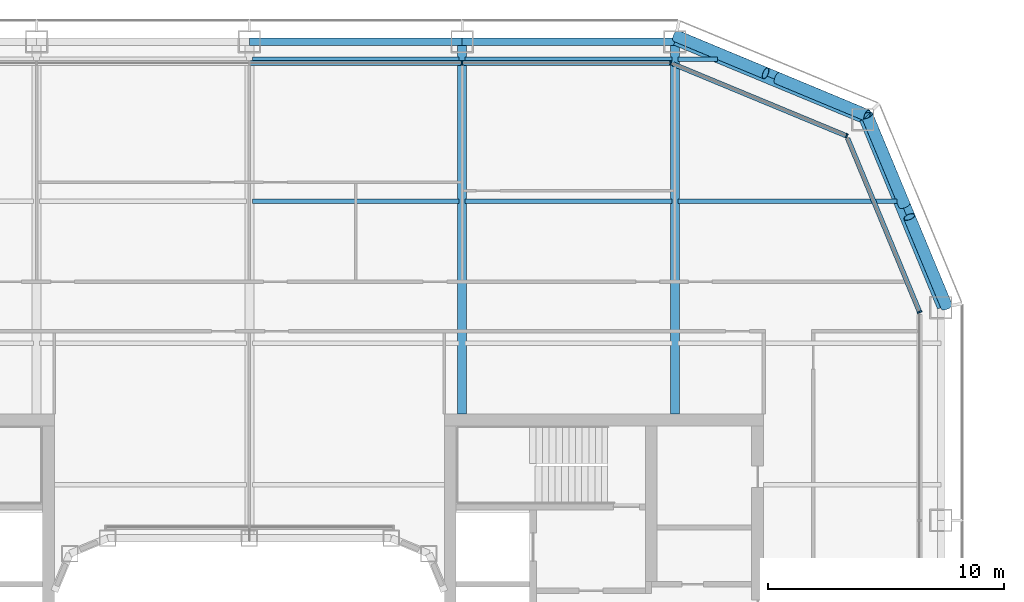
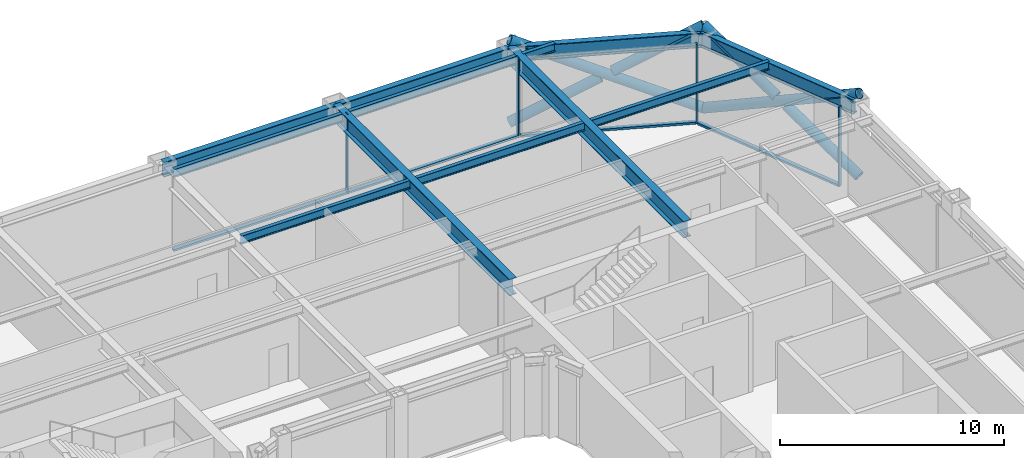
# One storey, part 9 of 23: 14 members, 12 beams, 3 elements without a shape of their own.
"""IFC4 building model written with IfcOpenShell, lengths in metres."""

from ifc_helpers import new_model, si_unit, direction, frame, origin, origin_2d, place, context, subcontext, project, spatial, rectangle, hollow_circle, i_section, extrude, material, layer, layer_set, material_profile, profile_set, type_object, element, aggregate, save


model = new_model("IFC4")

# Units and contexts
model_context = context("Model", 3, precision=1e-05, world=origin(), true_north=direction((0.0, 1.0)))
body_context = subcontext(model_context, "Body", "Model", "MODEL_VIEW")
ifc_project = project(units=[si_unit("LENGTHUNIT", "METRE"), si_unit("AREAUNIT", "SQUARE_METRE"), si_unit("VOLUMEUNIT", "CUBIC_METRE"), si_unit("PLANEANGLEUNIT", "RADIAN"), si_unit("MASSUNIT", "GRAM", prefix="KILO")], contexts=[model_context])

# Site, building, storey
site_placement = place(None, origin())
site = spatial("IfcSite", under=ifc_project, at=site_placement, CompositionType="ELEMENT")
building_placement = place(site_placement, origin())
building = spatial("IfcBuilding", under=site, at=building_placement, Name="Siwar Civic Tower", CompositionType="ELEMENT")
storey_placement = place(building_placement, frame((0.0, 0.0, 109.199951171875)))
storey = spatial("IfcBuildingStorey", under=building, at=storey_placement, Name="L23", CompositionType="ELEMENT", Elevation=109.199951171875)

# Curtain wall, member
ifc_material_1 = material(Name="Aluminium clad insulated panel", Category="aluminium")
ifc_layer_1 = layer(ifc_material_1, 0.199951171875)
ifc_layer_set_1 = layer_set([ifc_layer_1], Name="Aluminium clad insulated panel")
curtain_wall_type_1 = type_object("IfcCurtainWallType", Name="ENV-CW-BX", PredefinedType="NOTDEFINED", material=ifc_layer_set_1)
curtain_wall_1_placement = place(storey_placement, origin())
curtain_wall_1 = element("IfcCurtainWall", 1, at=curtain_wall_1_placement, inside=storey, type_object=curtain_wall_type_1, Name="Curtain wall B NE1", PredefinedType="NOTDEFINED")
ifc_material_2 = material(Name="Aluminium 6063-T6", Category="aluminium")
ifc_material_profile_1 = material_profile(ifc_material_2, rectangle(XDim=0.199951171875, YDim=0.06494140625, at=origin_2d()), Name="AL 200x65")
ifc_profile_set_1 = profile_set([ifc_material_profile_1], Name="Aluminium 6063-T6")
member_type_1 = type_object("IfcMemberType", Name="ENV-MULLION-B", PredefinedType="MULLION", material=ifc_profile_set_1)
member_1_placement = place(storey_placement, frame((28.35009765625, 17.821044921875, 0.0), z_axis=(0.0, 0.0, 1.0), x_axis=(-0.923879532511, -0.382683432365, 0.0)))
member_1 = element("IfcMember", 2, at=member_1_placement, type_object=member_type_1, Name="Mullion B NE1 1", PredefinedType="MULLION", context=body_context, shape_type="SweptSolid", body=[
    extrude(rectangle(XDim=0.199951171875, YDim=0.06494140625, at=origin_2d()), origin(), (0.0, 0.0, 1.0), 4.35009765625),
])

curtain_wall_2_placement = place(storey_placement, origin())
curtain_wall_2 = element("IfcCurtainWall", 3, at=curtain_wall_2_placement, inside=storey, type_object=curtain_wall_type_1, Name="Curtain wall B NE2", PredefinedType="NOTDEFINED")
member_2_placement = place(storey_placement, frame((25.26611328125, 25.26611328125, 0.0), z_axis=(0.0, 0.0, 1.0), x_axis=(-0.382683432365, -0.923879532511, 0.0)))
member_2 = element("IfcMember", 4, at=member_2_placement, type_object=member_type_1, Name="Mullion B NE2 1", PredefinedType="MULLION", context=body_context, shape_type="SweptSolid", body=[
    extrude(rectangle(XDim=0.199951171875, YDim=0.06494140625, at=origin_2d()), origin(), (0.0, 0.0, 1.0), 4.35009765625),
])

# Curtain wall, members
ifc_material_3 = material(Name="Aluminium and glass", Category="aluminium")
ifc_layer_2 = layer(ifc_material_3, 0.199951171875)
ifc_layer_set_2 = layer_set([ifc_layer_2], Name="Aluminium and glass")
curtain_wall_type_2 = type_object("IfcCurtainWallType", Name="ENV-CW-B", PredefinedType="NOTDEFINED", material=ifc_layer_set_2)
curtain_wall_3_placement = place(storey_placement, origin())
curtain_wall_3 = element("IfcCurtainWall", 5, at=curtain_wall_3_placement, inside=storey, type_object=curtain_wall_type_2, Name="Curtain wall B N", PredefinedType="NOTDEFINED")
member_3_placement = place(storey_placement, frame((17.821044921875, 28.35009765625, 0.0), z_axis=(0.0, 0.0, 1.0), x_axis=(0.0, -1.0, 0.0)))
member_3 = element("IfcMember", 6, at=member_3_placement, type_object=member_type_1, Name="Mullion B N 1", PredefinedType="MULLION", context=body_context, shape_type="SweptSolid", body=[
    extrude(rectangle(XDim=0.199951171875, YDim=0.06494140625, at=origin_2d()), origin(), (0.0, 0.0, 1.0), 4.35009765625),
])
member_4_placement = place(storey_placement, frame((9.0, 28.35009765625, 0.0), z_axis=(0.0, 0.0, 1.0), x_axis=(0.0, -1.0, 0.0)))
member_4 = element("IfcMember", 7, at=member_4_placement, type_object=member_type_1, Name="Mullion B N 2", PredefinedType="MULLION", context=body_context, shape_type="SweptSolid", body=[
    extrude(rectangle(XDim=0.199951171875, YDim=0.06494140625, at=origin_2d()), origin(), (0.0, 0.0, 1.0), 4.35009765625),
])

# Member
ifc_material_4 = material(Name="Aluminium 6063-T6", Category="aluminium")
ifc_material_profile_2 = material_profile(ifc_material_4, rectangle(XDim=0.199951171875, YDim=0.110107421875, at=origin_2d()), Name="AL 200x110")
ifc_profile_set_2 = profile_set([ifc_material_profile_2], Name="Aluminium 6063-T6")
member_type_2 = type_object("IfcMemberType", Name="ENV-TRANSOM-B", PredefinedType="USERDEFINED", material=ifc_profile_set_2)
member_5_placement = place(storey_placement, frame((28.337646484375, 17.85107421875, 0.054931640625), z_axis=(-0.382699695651, 0.92387279587, 0.0), x_axis=(-0.92387279587, -0.382699695651, 0.0)))
member_5 = element("IfcMember", 8, at=member_5_placement, type_object=member_type_2, Name="Transom B NE1 1", ObjectType="TRANSOM", PredefinedType="USERDEFINED", context=body_context, shape_type="SweptSolid", body=[
    extrude(rectangle(XDim=0.199951171875, YDim=0.110107421875, at=origin_2d()), origin(), (0.0, 0.0, 1.0), 7.912353515625),
])

aggregate(curtain_wall_1, [member_1, member_5])

member_6_placement = place(storey_placement, frame((25.236083984375, 25.278564453125, 0.054931640625), z_axis=(-0.923883705044, 0.382673358825, 0.0), x_axis=(-0.382673358825, -0.923883705044, 0.0)))
member_6 = element("IfcMember", 9, at=member_6_placement, type_object=member_type_2, Name="Transom B NE2 1", ObjectType="TRANSOM", PredefinedType="USERDEFINED", context=body_context, shape_type="SweptSolid", body=[
    extrude(rectangle(XDim=0.199951171875, YDim=0.110107421875, at=origin_2d()), origin(), (0.0, 0.0, 1.0), 7.912353515625),
])

aggregate(curtain_wall_2, [member_2, member_6])

member_7_placement = place(storey_placement, frame((17.78857421875, 28.35009765625, 0.054931640625), z_axis=(-1.0, 0.0, 0.0), x_axis=(0.0, -1.0, 0.0)))
member_7 = element("IfcMember", 10, at=member_7_placement, type_object=member_type_2, Name="Transom B N 1", ObjectType="TRANSOM", PredefinedType="USERDEFINED", context=body_context, shape_type="SweptSolid", body=[
    extrude(rectangle(XDim=0.199951171875, YDim=0.110107421875, at=origin_2d()), origin(), (0.0, 0.0, 1.0), 8.756103515625),
])

member_8_placement = place(storey_placement, frame((8.967529296875, 28.35009765625, 0.054931640625), z_axis=(-1.0, 0.0, 0.0), x_axis=(0.0, -1.0, 0.0)))
member_8 = element("IfcMember", 11, at=member_8_placement, type_object=member_type_2, Name="Transom B N 2", ObjectType="TRANSOM", PredefinedType="USERDEFINED", context=body_context, shape_type="SweptSolid", body=[
    extrude(rectangle(XDim=0.199951171875, YDim=0.110107421875, at=origin_2d()), origin(), (0.0, 0.0, 1.0), 8.93505859375),
])

aggregate(curtain_wall_3, [member_3, member_4, member_7, member_8])

# Members
ifc_material_5 = material(Name="Steel S355", Category="steel")
ifc_material_profile_3 = material_profile(ifc_material_5, hollow_circle(Radius=0.25390625, WallThickness=0.02490234375, at=origin_2d()), Name="CHS508x25")
ifc_profile_set_3 = profile_set([ifc_material_profile_3], Name="Steel S355")
member_type_3 = type_object("IfcMemberType", Name="STR-BR-CHS508x25", PredefinedType="BRACE", material=ifc_profile_set_3)
member_9_placement = place(storey_placement, frame((26.1318359375, 26.1318359375, 0.0), z_axis=(-0.821142553604, 0.341671493852, 0.457149315816), x_axis=(-0.384163874976, -0.923264922524, 0.0)))
element("IfcMember", 12, at=member_9_placement, inside=storey, type_object=member_type_3, Name="L23/brc/BNE1-2-0-1", PredefinedType="BRACE", context=body_context, shape_type="SweptSolid", body=[
    extrude(hollow_circle(Radius=0.25390625, WallThickness=0.02490234375, at=origin_2d()), origin(), (0.0, 0.0, 1.0), 9.843505859375),
])
for number, where, z_axis, x_axis, name in (
    (13, (18.048828125, 29.4951171875, 0.0), (0.821126041429, -0.341677318012, 0.457174621391), (0.384176042158, 0.923259859753, 0.0), "L23/brc/BNE1-2-0-2"),
    (14, (22.342529296875, 27.70849609375, 2.390625), (0.821163134736, -0.341670737976, 0.457112910516), (0.384154943021, 0.923268638995, 0.0), "L23/brc/BNE1-2-0-3"),
):
    element("IfcMember", number, at=place(storey_placement, frame(where, z_axis=z_axis, x_axis=x_axis)), inside=storey, type_object=member_type_3, Name=name, PredefinedType="BRACE", context=body_context, shape_type="SweptSolid", body=[
        extrude(hollow_circle(Radius=0.25390625, WallThickness=0.02490234375, at=origin_2d()), origin(), (0.0, 0.0, 1.0), 4.614501953125),
    ])
member_10_placement = place(storey_placement, frame((26.1318359375, 26.1318359375, 0.0), z_axis=(0.341671493852, -0.821142553604, 0.457149315816), x_axis=(0.923264922524, 0.384163874976, 0.0)))
element("IfcMember", 15, at=member_10_placement, inside=storey, type_object=member_type_3, Name="L23/brc/BNE1-2-0-0", PredefinedType="BRACE", context=body_context, shape_type="SweptSolid", body=[
    extrude(hollow_circle(Radius=0.25390625, WallThickness=0.02490234375, at=origin_2d()), origin(), (0.0, 0.0, 1.0), 9.843505859375),
])
for number, where, z_axis, x_axis, name in (
    (16, (29.4951171875, 18.048828125, 0.0), (-0.341677318012, 0.821126041429, 0.457174621391), (-0.923259859753, -0.384176042158, 0.0), "L23/brc/BNE1-2-0-4"),
    (17, (27.70849609375, 22.342529296875, 2.390625), (-0.341670737976, 0.821163134736, 0.457112910516), (-0.923268638995, -0.384154943021, 0.0), "L23/brc/BNE1-2-0-5"),
):
    element("IfcMember", number, at=place(storey_placement, frame(where, z_axis=z_axis, x_axis=x_axis)), inside=storey, type_object=member_type_3, Name=name, PredefinedType="BRACE", context=body_context, shape_type="SweptSolid", body=[
        extrude(hollow_circle(Radius=0.25390625, WallThickness=0.02490234375, at=origin_2d()), origin(), (0.0, 0.0, 1.0), 4.614501953125),
    ])

# Beams
ifc_material_6 = material(Name="Steel S355", Category="steel")
ifc_material_profile_4 = material_profile(ifc_material_6, i_section(OverallWidth=0.18994140625, OverallDepth=0.449951171875, WebThickness=0.009521484375, FlangeThickness=0.0146484375, FilletRadius=0.02099609375, at=origin_2d()), Name="IPE450")
ifc_profile_set_4 = profile_set([ifc_material_profile_4], Name="Steel S355")
beam_type_1 = type_object("IfcBeamType", Name="STR-FB-IPE450", PredefinedType="JOIST", material=ifc_profile_set_4)
for number, where, z_axis, x_axis, name in (
    (18, (0.1298828125, 22.5, 4.125), (1.0, 0.0, 0.0), (0.0, 1.0, 0.0), "L23/bm/F040"),
    (19, (9.1298828125, 22.5, 4.125), (1.0, 0.0, 0.0), (0.0, 1.0, 0.0), "L23/bm/F041"),
):
    element("IfcBeam", number, at=place(storey_placement, frame(where, z_axis=z_axis, x_axis=x_axis)), inside=storey, type_object=beam_type_1, Name=name, PredefinedType="JOIST", context=body_context, shape_type="SweptSolid", body=[
        extrude(i_section(OverallWidth=0.18994140625, OverallDepth=0.449951171875, WebThickness=0.009521484375, FlangeThickness=0.0146484375, FilletRadius=0.02099609375, at=origin_2d()), origin(), (0.0, 0.0, 1.0), 8.740234375),
    ])
beam_1_placement = place(storey_placement, frame((18.1298828125, 22.5, 4.125), z_axis=(1.0, 0.0, 0.0), x_axis=(0.0, 1.0, 0.0)))
element("IfcBeam", 20, at=beam_1_placement, inside=storey, type_object=beam_type_1, Name="L23/bm/F042", PredefinedType="JOIST", context=body_context, shape_type="SweptSolid", body=[
    extrude(i_section(OverallWidth=0.18994140625, OverallDepth=0.449951171875, WebThickness=0.009521484375, FlangeThickness=0.0146484375, FilletRadius=0.02099609375, at=origin_2d()), origin(), (0.0, 0.0, 1.0), 9.256103515625),
])
for number, where, z_axis, x_axis, name in (
    (21, (0.1298828125, 28.5, 4.125), (1.0, 0.0, 0.0), (0.0, 1.0, 0.0), "L23/bm/F046"),
    (22, (9.1298828125, 28.5, 4.125), (1.0, 0.0, 0.0), (0.0, 1.0, 0.0), "L23/bm/F047"),
):
    element("IfcBeam", number, at=place(storey_placement, frame(where, z_axis=z_axis, x_axis=x_axis)), inside=storey, type_object=beam_type_1, Name=name, PredefinedType="JOIST", context=body_context, shape_type="SweptSolid", body=[
        extrude(i_section(OverallWidth=0.18994140625, OverallDepth=0.449951171875, WebThickness=0.009521484375, FlangeThickness=0.0146484375, FilletRadius=0.02099609375, at=origin_2d()), origin(), (0.0, 0.0, 1.0), 8.740234375),
    ])
beam_2_placement = place(storey_placement, frame((18.1298828125, 28.5, 4.125), z_axis=(1.0, 0.0, 0.0), x_axis=(0.0, 1.0, 0.0)))
element("IfcBeam", 23, at=beam_2_placement, inside=storey, type_object=beam_type_1, Name="L23/bm/F048", PredefinedType="JOIST", context=body_context, shape_type="SweptSolid", body=[
    extrude(i_section(OverallWidth=0.18994140625, OverallDepth=0.449951171875, WebThickness=0.009521484375, FlangeThickness=0.0146484375, FilletRadius=0.02099609375, at=origin_2d()), origin(), (0.0, 0.0, 1.0), 1.6806640625),
])
ifc_material_7 = material(Name="Steel S355", Category="steel")
ifc_material_profile_5 = material_profile(ifc_material_7, i_section(OverallWidth=0.3798828125, OverallDepth=0.89990234375, WebThickness=0.01611328125, FlangeThickness=0.035888671875, at=origin_2d()), Name="PG900x380x16x36")
ifc_profile_set_5 = profile_set([ifc_material_profile_5], Name="Steel S355")
beam_type_2 = type_object("IfcBeamType", Name="STR-PG-PG900x380x16x36", PredefinedType="BEAM", material=ifc_profile_set_5)
for number, where, z_axis, x_axis, name in (
    (24, (9.0, 13.5, 3.900146484375), (0.0, 1.0, 0.0), (-1.0, 0.0, 0.0), "L23/bm/G08"),
    (25, (18.0, 13.5, 3.900146484375), (0.0, 1.0, 0.0), (-1.0, 0.0, 0.0), "L23/bm/G10"),
):
    element("IfcBeam", number, at=place(storey_placement, frame(where, z_axis=z_axis, x_axis=x_axis)), inside=storey, type_object=beam_type_2, Name=name, PredefinedType="BEAM", context=body_context, shape_type="SweptSolid", body=[
        extrude(i_section(OverallWidth=0.3798828125, OverallDepth=0.89990234375, WebThickness=0.01611328125, FlangeThickness=0.035888671875, at=origin_2d()), origin(), (0.0, 0.0, 1.0), 15.75),
    ])
ifc_material_8 = material(Name="Steel S355", Category="steel")
ifc_material_profile_6 = material_profile(ifc_material_8, i_section(OverallWidth=0.300048828125, OverallDepth=0.800048828125, WebThickness=0.017578125, FlangeThickness=0.032958984375, FilletRadius=0.030029296875, at=origin_2d()), Name="HEB800")
ifc_profile_set_6 = profile_set([ifc_material_profile_6], Name="Steel S355")
beam_type_3 = type_object("IfcBeamType", Name="STR-SB-HEB800", PredefinedType="BEAM", material=ifc_profile_set_6)
for number, where, z_axis, x_axis, name in (
    (26, (29.25, 18.0, 3.949951171875), (-0.382699877515, 0.923872720536, 0.0), (-0.923872720536, -0.382699877515, 0.0), "L23/bm/SNE1-0"),
    (27, (25.954833984375, 25.954833984375, 3.949951171875), (-0.923872720536, 0.382699877515, 0.0), (-0.382699877515, -0.923872720536, 0.0), "L23/bm/SNE2-0"),
):
    element("IfcBeam", number, at=place(storey_placement, frame(where, z_axis=z_axis, x_axis=x_axis)), inside=storey, type_object=beam_type_3, Name=name, PredefinedType="BEAM", context=body_context, shape_type="SweptSolid", body=[
        extrude(i_section(OverallWidth=0.300048828125, OverallDepth=0.800048828125, WebThickness=0.017578125, FlangeThickness=0.032958984375, FilletRadius=0.030029296875, at=origin_2d()), origin(), (0.0, 0.0, 1.0), 8.6103515625),
    ])
for number, where, z_axis, x_axis, name in (
    (28, (18.0, 29.25, 3.949951171875), (-1.0, 0.0, 0.0), (0.0, -1.0, 0.0), "L23/bm/SN-0"),
    (29, (9.0, 29.25, 3.949951171875), (-1.0, 0.0, 0.0), (0.0, -1.0, 0.0), "L23/bm/SN-1"),
):
    element("IfcBeam", number, at=place(storey_placement, frame(where, z_axis=z_axis, x_axis=x_axis)), inside=storey, type_object=beam_type_3, Name=name, PredefinedType="BEAM", context=body_context, shape_type="SweptSolid", body=[
        extrude(i_section(OverallWidth=0.300048828125, OverallDepth=0.800048828125, WebThickness=0.017578125, FlangeThickness=0.032958984375, FilletRadius=0.030029296875, at=origin_2d()), origin(), (0.0, 0.0, 1.0), 9.0),
    ])

save(model, "model.ifc")
